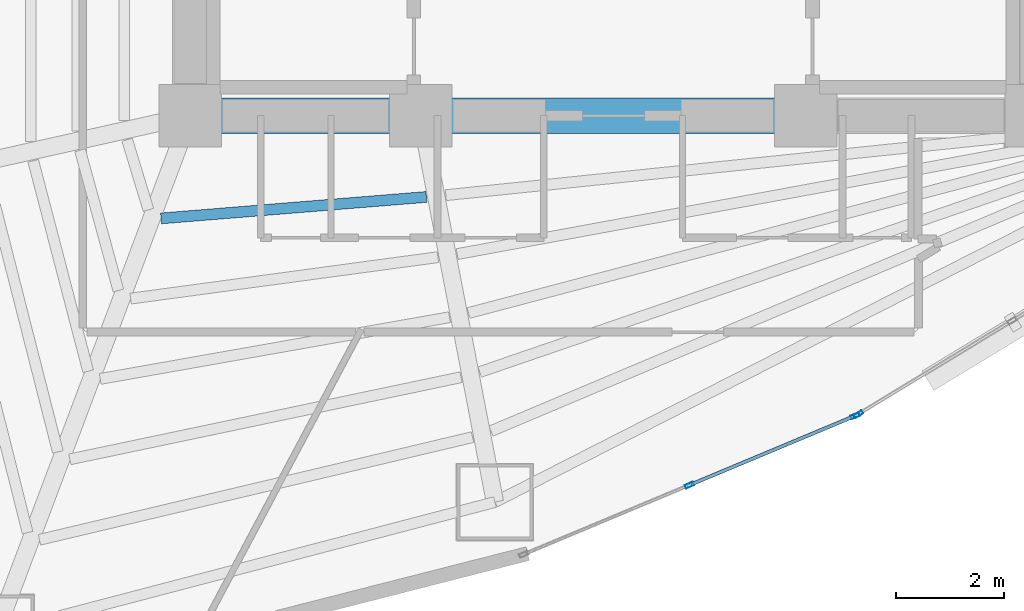
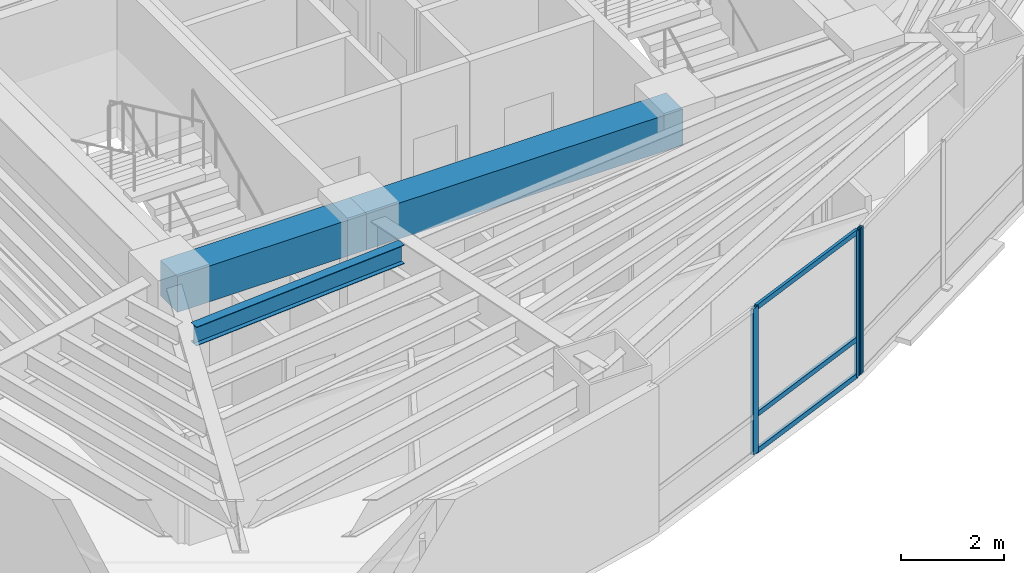
# One storey, part 4 of 18: 6 members, 3 beams, 2 elements without a shape of their own.
"""IFC4 building model written with IfcOpenShell, lengths in metres."""

from ifc_helpers import new_model, si_unit, direction, frame, origin, origin_2d, place, context, subcontext, project, spatial, rectangle, hollow_rectangle, i_section, extrude, material, layer, layer_set, material_profile, profile_set, type_object, element, aggregate, save


model = new_model("IFC4")

# Units and contexts
model_context = context("Model", 3, precision=1e-05, world=origin(), true_north=direction((0.0, 1.0)))
body_context = subcontext(model_context, "Body", "Model", "MODEL_VIEW")
ifc_project = project(units=[si_unit("LENGTHUNIT", "METRE"), si_unit("AREAUNIT", "SQUARE_METRE"), si_unit("VOLUMEUNIT", "CUBIC_METRE"), si_unit("PLANEANGLEUNIT", "RADIAN"), si_unit("MASSUNIT", "GRAM", prefix="KILO")], contexts=[model_context])

# Site, building, storey
site_placement = place(None, origin())
site = spatial("IfcSite", under=ifc_project, at=site_placement, CompositionType="ELEMENT")
building_placement = place(site_placement, origin())
building = spatial("IfcBuilding", under=site, at=building_placement, Name="Menara Vayukalpa", CompositionType="ELEMENT")
storey_placement = place(building_placement, frame((0.0, 0.0, 31.320068359375)))
storey = spatial("IfcBuildingStorey", under=building, at=storey_placement, Name="L06", CompositionType="ELEMENT", Elevation=31.320068359375)

# Beams
ifc_material_1 = material(Name="Concrete C60/75", Category="concrete")
ifc_material_profile_1 = material_profile(ifc_material_1, rectangle(XDim=0.64990234375, YDim=0.85009765625, at=origin_2d()), Name="RC 650x850")
ifc_profile_set_1 = profile_set([ifc_material_profile_1], Name="Concrete C60/75")
beam_type_1 = type_object("IfcBeamType", Name="BM-CB1", PredefinedType="BEAM", material=ifc_profile_set_1)
beam_1_placement = place(storey_placement, frame((17.800048828125, 17.199951171875, 3.044921875), z_axis=(1.0, 0.0, 0.0), x_axis=(0.0, 1.0, 0.0)))
element("IfcBeam", 1, at=beam_1_placement, inside=storey, type_object=beam_type_1, Name="L06 Core Tie Beam CBR1", PredefinedType="BEAM", context=body_context, shape_type="SweptSolid", body=[
    extrude(rectangle(XDim=0.64990234375, YDim=0.85009765625, at=origin_2d()), origin(), (0.0, 0.0, 1.0), 4.25),
])
beam_2_placement = place(storey_placement, frame((22.050048828125, 17.199951171875, 3.044921875), z_axis=(1.0, 0.0, 0.0), x_axis=(0.0, 1.0, 0.0)))
element("IfcBeam", 2, at=beam_2_placement, inside=storey, type_object=beam_type_1, Name="L06 Core Tie Beam CBR2", PredefinedType="BEAM", context=body_context, shape_type="SweptSolid", body=[
    extrude(rectangle(XDim=0.64990234375, YDim=0.85009765625, at=origin_2d()), origin(), (0.0, 0.0, 1.0), 7.099853515625),
])
ifc_material_2 = material(Name="Steel S355", Category="steel")
ifc_material_profile_2 = material_profile(ifc_material_2, i_section(OverallWidth=0.199951171875, OverallDepth=0.449951171875, WebThickness=0.009033203125, FlangeThickness=0.013916015625, at=origin_2d()), Name="WF 450x200x9x14")
ifc_profile_set_2 = profile_set([ifc_material_profile_2], Name="Steel S355")
beam_type_2 = type_object("IfcBeamType", Name="BM-SJ1", PredefinedType="JOIST", material=ifc_profile_set_2)
beam_3_placement = place(storey_placement, frame((17.262451171875, 15.306396484375, 3.244873046875), z_axis=(0.996745483939, 0.08061290373, 0.0), x_axis=(-0.08061290373, 0.996745483939, 0.0)))
element("IfcBeam", 3, at=beam_3_placement, inside=storey, type_object=beam_type_2, Name="L06 Secondary Floor Joist SJ07-1", PredefinedType="JOIST", context=body_context, shape_type="SweptSolid", body=[
    extrude(i_section(OverallWidth=0.199951171875, OverallDepth=0.449951171875, WebThickness=0.009033203125, FlangeThickness=0.013916015625, at=origin_2d()), origin(), (0.0, 0.0, 1.0), 4.9091796875),
])

# Curtain wall, members
ifc_material_3 = material(Name="Anodised Terracotta Aluminium Alloy 6063-T6", Category="masonry")
ifc_layer = layer(ifc_material_3, 0.1650390625)
ifc_layer_set = layer_set([ifc_layer], Name="Anodised Terracotta Aluminium Alloy 6063-T6")
curtain_wall_type = type_object("IfcCurtainWallType", Name="CW-CW2", PredefinedType="USERDEFINED", material=ifc_layer_set)
curtain_wall_1_placement = place(storey_placement, origin())
curtain_wall_1 = element("IfcCurtainWall", 4, at=curtain_wall_1_placement, inside=storey, type_object=curtain_wall_type, Name="L06 Low Rise Terracotta Ribbon Curtain Wall CW2 16", ObjectType="UNITISED", PredefinedType="USERDEFINED")
ifc_material_4 = material(Name="Anodised Terracotta Aluminium Alloy 6063-T6", Category="masonry")
ifc_material_profile_3 = material_profile(ifc_material_4, hollow_rectangle(XDim=0.070068359375, YDim=0.1650390625, WallThickness=0.00390625, at=origin_2d()), Name="ALU 70x165x4")
ifc_profile_set_3 = profile_set([ifc_material_profile_3], Name="Anodised Terracotta Aluminium Alloy 6063-T6")
member_type_1 = type_object("IfcMemberType", Name="CWM-CW2", PredefinedType="MULLION", material=ifc_profile_set_3)
member_1_placement = place(storey_placement, frame((27.0068359375, 10.388916015625, 0.0), z_axis=(0.0, 0.0, 1.0), x_axis=(-0.385895120445, 0.922542658101, 0.0)))
member_1 = element("IfcMember", 5, at=member_1_placement, type_object=member_type_1, Name="CW2 mullion 2", PredefinedType="MULLION", context=body_context, shape_type="SweptSolid", body=[
    extrude(hollow_rectangle(XDim=0.070068359375, YDim=0.1650390625, WallThickness=0.00390625, at=origin_2d()), origin(), (0.0, 0.0, 1.0), 3.469970703125),
])
member_2_placement = place(storey_placement, frame((30.062744140625, 11.6669921875, 0.0), z_axis=(0.0, 0.0, 1.0), x_axis=(-0.385895120445, 0.922542658101, 0.0)))
member_2 = element("IfcMember", 6, at=member_2_placement, type_object=member_type_1, Name="CW2 mullion 3", PredefinedType="MULLION", context=body_context, shape_type="SweptSolid", body=[
    extrude(hollow_rectangle(XDim=0.070068359375, YDim=0.1650390625, WallThickness=0.00390625, at=origin_2d()), origin(), (0.0, 0.0, 1.0), 3.469970703125),
])

# Curtain wall, member
curtain_wall_2_placement = place(storey_placement, origin())
curtain_wall_2 = element("IfcCurtainWall", 7, at=curtain_wall_2_placement, inside=storey, type_object=curtain_wall_type, Name="L06 Low Rise Terracotta Ribbon Curtain Wall CW2 17", ObjectType="UNITISED", PredefinedType="USERDEFINED")
member_3_placement = place(storey_placement, frame((30.125, 11.69873046875, 0.0), z_axis=(0.0, 0.0, 1.0), x_axis=(-0.519181964377, 0.854663727945, 0.0)))
member_3 = element("IfcMember", 8, at=member_3_placement, type_object=member_type_1, Name="CW2 mullion 1", PredefinedType="MULLION", context=body_context, shape_type="SweptSolid", body=[
    extrude(hollow_rectangle(XDim=0.070068359375, YDim=0.1650390625, WallThickness=0.00390625, at=origin_2d()), origin(), (0.0, 0.0, 1.0), 3.469970703125),
])
aggregate(curtain_wall_2, [member_3])

# Member
ifc_material_5 = material(Name="Anodised Terracotta Aluminium Alloy 6063-T6", Category="masonry")
ifc_material_profile_4 = material_profile(ifc_material_5, hollow_rectangle(XDim=0.06494140625, YDim=0.1201171875, WallThickness=0.00341796875, at=origin_2d()), Name="ALU 65x120x3.5")
ifc_profile_set_4 = profile_set([ifc_material_profile_4], Name="Anodised Terracotta Aluminium Alloy 6063-T6")
member_type_2 = type_object("IfcMemberType", Name="CWT-CW2", PredefinedType="USERDEFINED", material=ifc_profile_set_4)
member_4_placement = place(storey_placement, frame((27.0390625, 10.40234375, 0.032470703125), z_axis=(0.922552588381, 0.385871379699, 0.0), x_axis=(-0.385871379699, 0.922552588381, 0.0)))
member_4 = element("IfcMember", 9, at=member_4_placement, type_object=member_type_2, Name="CW2 transom 2.1", ObjectType="TRANSOM", PredefinedType="USERDEFINED", context=body_context, shape_type="SweptSolid", body=[
    extrude(hollow_rectangle(XDim=0.06494140625, YDim=0.1201171875, WallThickness=0.00341796875, at=origin_2d()), origin(), (0.0, 0.0, 1.0), 3.24267578125),
])

member_5_placement = place(storey_placement, frame((27.0390625, 10.40234375, 0.89990234375), z_axis=(0.922552588381, 0.385871379699, 0.0), x_axis=(-0.385871379699, 0.922552588381, 0.0)))
member_5 = element("IfcMember", 10, at=member_5_placement, type_object=member_type_2, Name="CW2 transom 2.2", ObjectType="TRANSOM", PredefinedType="USERDEFINED", context=body_context, shape_type="SweptSolid", body=[
    extrude(hollow_rectangle(XDim=0.06494140625, YDim=0.1201171875, WallThickness=0.00341796875, at=origin_2d()), origin(), (0.0, 0.0, 1.0), 3.24267578125),
])

member_6_placement = place(storey_placement, frame((27.0390625, 10.40234375, 3.4375), z_axis=(0.922552588381, 0.385871379699, 0.0), x_axis=(-0.385871379699, 0.922552588381, 0.0)))
member_6 = element("IfcMember", 11, at=member_6_placement, type_object=member_type_2, Name="CW2 transom 2.3", ObjectType="TRANSOM", PredefinedType="USERDEFINED", context=body_context, shape_type="SweptSolid", body=[
    extrude(hollow_rectangle(XDim=0.06494140625, YDim=0.1201171875, WallThickness=0.00341796875, at=origin_2d()), origin(), (0.0, 0.0, 1.0), 3.24267578125),
])

aggregate(curtain_wall_1, [member_1, member_2, member_4, member_5, member_6])

save(model, "model.ifc")
